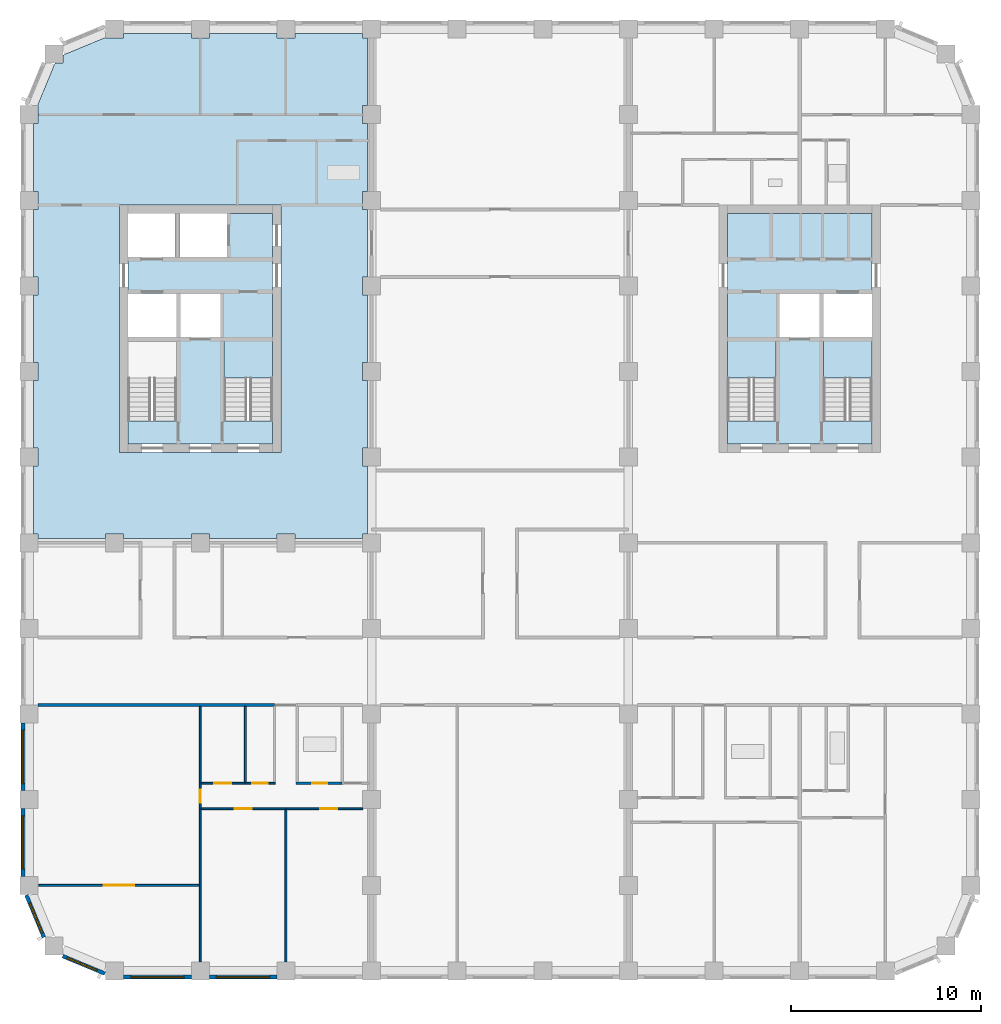
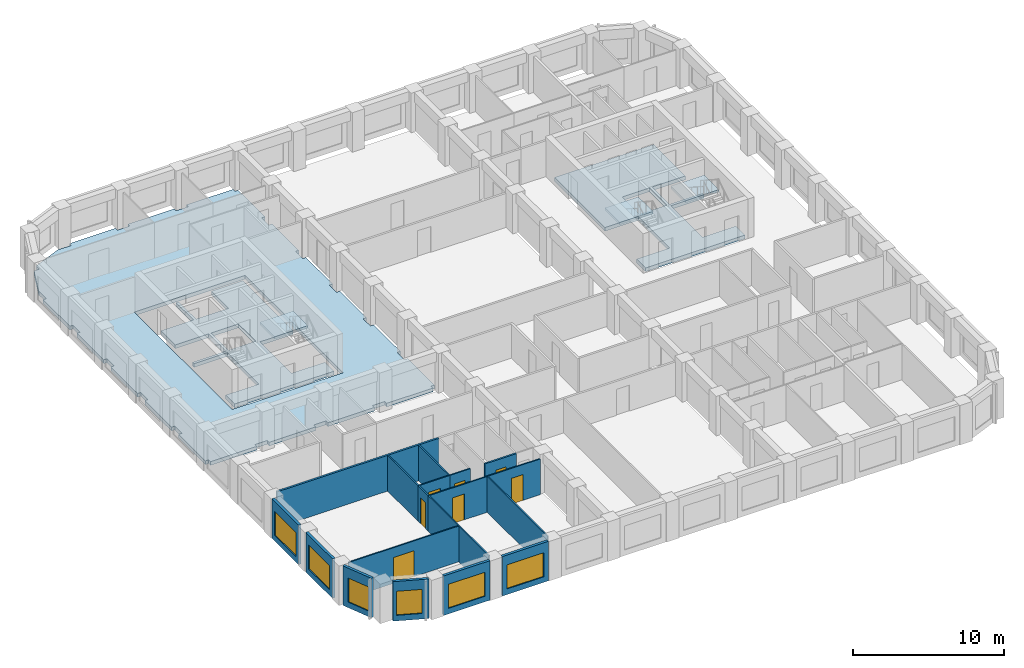
# One storey, part 2 of 12: 18 walls, 7 doors, 6 slabs, 6 windows, 13 openings, 3 elements without a shape of their own.
"""IFC4 building model written with IfcOpenShell, lengths in metres."""

from ifc_helpers import new_model, si_unit, direction, frame, frame_2d, origin, place, context, subcontext, project, spatial, polyline, rectangle, outline, extrude, material, layer, layer_set, type_object, element, fill, aggregate, save


model = new_model("IFC4")

# Units and contexts
model_context = context("Model", 3, precision=1e-05, world=origin(), true_north=direction((0.0, 1.0)))
body_context = subcontext(model_context, "Body", "Model", "MODEL_VIEW")
ifc_project = project(units=[si_unit("LENGTHUNIT", "METRE"), si_unit("AREAUNIT", "SQUARE_METRE"), si_unit("VOLUMEUNIT", "CUBIC_METRE"), si_unit("PLANEANGLEUNIT", "RADIAN"), si_unit("MASSUNIT", "GRAM", prefix="KILO")], contexts=[model_context])

# Site, building, storey
site_placement = place(None, origin())
site = spatial("IfcSite", under=ifc_project, at=site_placement, CompositionType="ELEMENT")
building_placement = place(site_placement, origin())
building = spatial("IfcBuilding", under=site, at=building_placement, Name="Girih Gate Residences", CompositionType="ELEMENT")
storey_placement = place(building_placement, frame((0.0, 0.0, 143.0)))
storey = spatial("IfcBuildingStorey", under=building, at=storey_placement, Name="L40", CompositionType="ELEMENT", Elevation=143.0)

# Slabs
ifc_material_1 = material(Name="Concrete C40/50", Category="concrete")
ifc_layer_1 = layer(ifc_material_1, 0.300048828125)
ifc_layer_set_1 = layer_set([ifc_layer_1], Name="Core floor slab 300")
slab_type_1 = type_object("IfcSlabType", Name="Core floor slab 300", PredefinedType="FLOOR", material=ifc_layer_set_1)
slab_1_placement = place(storey_placement, frame((0.0, 0.0, -0.300048828125)))
element("IfcSlab", 1, at=slab_1_placement, inside=storey, type_object=slab_type_1, Name="L40 W core floor", PredefinedType="FLOOR", context=body_context, shape_type="SweptSolid", body=[
    extrude(outline(polyline([(12.800048828125, 27.699951171875), (5.199951171875, 27.699951171875), (5.199951171875, 28.900634765625), (7.75, 28.900634765625), (7.75, 33.10009765625), (5.199951171875, 33.10009765625), (5.199951171875, 33.300048828125), (7.75, 33.300048828125), (7.75, 35.60009765625), (5.199951171875, 35.60009765625), (5.199951171875, 37.5), (7.699951171875, 37.5), (7.699951171875, 39.800048828125), (7.89990234375, 39.800048828125), (7.89990234375, 37.5), (10.39990234375, 37.5), (10.39990234375, 39.800048828125), (12.800048828125, 39.800048828125), (12.800048828125, 33.10009765625), (10.25, 33.10009765625), (10.25, 28.900634765625), (12.800048828125, 28.900634765625), (12.800048828125, 27.699951171875)]), holes=[polyline([(7.949951171875, 33.300048828125), (10.050048828125, 33.300048828125), (10.050048828125, 35.60009765625), (7.949951171875, 35.60009765625), (7.949951171875, 33.300048828125)])]), origin(), (0.0, 0.0, 1.0), 0.300048828125),
])
slab_2_placement = place(storey_placement, frame((0.0, 0.0, -0.300048828125)))
element("IfcSlab", 2, at=slab_2_placement, inside=storey, type_object=slab_type_1, Name="L40 E core floor", PredefinedType="FLOOR", context=body_context, shape_type="SweptSolid", body=[
    extrude(outline(polyline([(44.300048828125, 27.699951171875), (36.699951171875, 27.699951171875), (36.699951171875, 28.900634765625), (39.25, 28.900634765625), (39.25, 33.10009765625), (36.699951171875, 33.10009765625), (36.699951171875, 39.800048828125), (44.300048828125, 39.800048828125), (44.300048828125, 35.60009765625), (41.75, 35.60009765625), (41.75, 33.300048828125), (44.300048828125, 33.300048828125), (44.300048828125, 33.10009765625), (41.75, 33.10009765625), (41.75, 28.900634765625), (44.300048828125, 28.900634765625), (44.300048828125, 27.699951171875)]), holes=[polyline([(39.449951171875, 33.300048828125), (41.550048828125, 33.300048828125), (41.550048828125, 35.60009765625), (39.449951171875, 35.60009765625), (39.449951171875, 33.300048828125)])]), origin(), (0.0, 0.0, 1.0), 0.300048828125),
])
ifc_layer_2 = layer(ifc_material_1, 0.300048828125)
ifc_layer_set_2 = layer_set([ifc_layer_2], Name="Floor slab PT 300 Concrete C40/50")
slab_type_2 = type_object("IfcSlabType", Name="Floor slab PT 300 Concrete C40/50", PredefinedType="FLOOR", material=ifc_layer_set_2)
slab_3_placement = place(storey_placement, frame((0.0, 0.0, -0.300048828125)))
element("IfcSlab", 3, at=slab_3_placement, inside=storey, type_object=slab_type_2, Name="Floor slab L40 3", PredefinedType="FLOOR", context=body_context, shape_type="SweptSolid", body=[
    extrude(outline(polyline([(0.22509765625, 26.52490234375), (0.22509765625, 22.97509765625), (0.47509765625, 22.97509765625), (0.47509765625, 22.72509765625), (4.02490234375, 22.72509765625), (4.02490234375, 22.97509765625), (4.97509765625, 22.97509765625), (4.97509765625, 22.72509765625), (8.52490234375, 22.72509765625), (8.52490234375, 22.97509765625), (9.47509765625, 22.97509765625), (9.47509765625, 22.72509765625), (13.02490234375, 22.72509765625), (13.02490234375, 22.97509765625), (13.97509765625, 22.97509765625), (13.97509765625, 22.72509765625), (17.52490234375, 22.72509765625), (17.52490234375, 22.97509765625), (17.77490234375, 22.97509765625), (17.77490234375, 26.52490234375), (17.52490234375, 26.52490234375), (17.52490234375, 27.47509765625), (17.77490234375, 27.47509765625), (17.77490234375, 31.02490234375), (17.52490234375, 31.02490234375), (17.52490234375, 31.97509765625), (17.77490234375, 31.97509765625), (17.77490234375, 35.52490234375), (17.52490234375, 35.52490234375), (17.52490234375, 36.47509765625), (17.77490234375, 36.47509765625), (17.77490234375, 40.02490234375), (17.52490234375, 40.02490234375), (17.52490234375, 40.97509765625), (17.77490234375, 40.97509765625), (17.77490234375, 44.52490234375), (17.52490234375, 44.52490234375), (17.52490234375, 45.47509765625), (17.77490234375, 45.47509765625), (17.77490234375, 49.02490234375), (17.52490234375, 49.02490234375), (17.52490234375, 49.27490234375), (13.97509765625, 49.27490234375), (13.97509765625, 49.02490234375), (13.02490234375, 49.02490234375), (13.02490234375, 49.27490234375), (9.47509765625, 49.27490234375), (9.47509765625, 49.02490234375), (8.52490234375, 49.02490234375), (8.52490234375, 49.27490234375), (4.97509765625, 49.27490234375), (4.97509765625, 49.02490234375), (4.02490234375, 49.02490234375), (4.02490234375, 49.059814453125), (1.79296875, 48.13525390625), (1.79296875, 47.70703125), (1.36474609375, 47.70703125), (0.440185546875, 45.47509765625), (0.47509765625, 45.47509765625), (0.47509765625, 44.52490234375), (0.22509765625, 44.52490234375), (0.22509765625, 40.97509765625), (0.47509765625, 40.97509765625), (0.47509765625, 40.02490234375), (0.22509765625, 40.02490234375), (0.22509765625, 36.47509765625), (0.47509765625, 36.47509765625), (0.47509765625, 35.52490234375), (0.22509765625, 35.52490234375), (0.22509765625, 31.97509765625), (0.47509765625, 31.97509765625), (0.47509765625, 31.02490234375), (0.22509765625, 31.02490234375), (0.22509765625, 27.47509765625), (0.47509765625, 27.47509765625), (0.47509765625, 26.52490234375), (0.22509765625, 26.52490234375)]), holes=[polyline([(13.25, 40.25), (13.25, 27.25), (4.75, 27.25), (4.75, 40.25), (13.25, 40.25)])]), origin(), (0.0, 0.0, 1.0), 0.300048828125),
])

# Stair, slab
stair_type = type_object("IfcStairType", Name="Exit stair", PredefinedType="HALF_TURN_STAIR", material=ifc_material_1)
stair_1_placement = place(storey_placement, origin())
stair_1 = element("IfcStair", 4, at=stair_1_placement, inside=storey, type_object=stair_type, Name="L40 Exit Stair ST-W2", PredefinedType="HALF_TURN_STAIR")
ifc_layer_3 = layer(ifc_material_1, 0.199951171875)
ifc_layer_set_3 = layer_set([ifc_layer_3], Name="Stair landing 200")
slab_type_3 = type_object("IfcSlabType", Name="Stair landing 200", PredefinedType="LANDING", material=ifc_layer_set_3)
slab_4_placement = place(storey_placement, frame((0.0, 0.0, 1.39990234375)))
slab_4 = element("IfcSlab", 5, at=slab_4_placement, type_object=slab_type_3, Name="ST-W2 landing 1", PredefinedType="LANDING", context=body_context, shape_type="SweptSolid", body=[
    extrude(outline(polyline([(12.800048828125, 31.14990234375), (12.800048828125, 33.10009765625), (10.25, 33.10009765625), (10.25, 31.14990234375), (12.800048828125, 31.14990234375)])), origin(), (0.0, 0.0, 1.0), 0.2001953125),
])
aggregate(stair_1, [slab_4])

stair_2_placement = place(storey_placement, origin())
stair_2 = element("IfcStair", 6, at=stair_2_placement, inside=storey, type_object=stair_type, Name="L40 Exit Stair ST-E1", PredefinedType="HALF_TURN_STAIR")
slab_5_placement = place(storey_placement, frame((0.0, 0.0, 1.39990234375)))
slab_5 = element("IfcSlab", 7, at=slab_5_placement, type_object=slab_type_3, Name="ST-E1 landing 1", PredefinedType="LANDING", context=body_context, shape_type="SweptSolid", body=[
    extrude(outline(polyline([(44.300048828125, 31.14990234375), (44.300048828125, 33.10009765625), (41.75, 33.10009765625), (41.75, 31.14990234375), (44.300048828125, 31.14990234375)])), origin(), (0.0, 0.0, 1.0), 0.2001953125),
])
aggregate(stair_2, [slab_5])

stair_3_placement = place(storey_placement, origin())
stair_3 = element("IfcStair", 8, at=stair_3_placement, inside=storey, type_object=stair_type, Name="L40 Exit Stair ST-E2", PredefinedType="HALF_TURN_STAIR")
slab_6_placement = place(storey_placement, frame((0.0, 0.0, 1.39990234375)))
slab_6 = element("IfcSlab", 9, at=slab_6_placement, type_object=slab_type_3, Name="ST-E2 landing 1", PredefinedType="LANDING", context=body_context, shape_type="SweptSolid", body=[
    extrude(outline(polyline([(39.25, 31.14990234375), (39.25, 33.10009765625), (36.699951171875, 33.10009765625), (36.699951171875, 31.14990234375), (39.25, 31.14990234375)])), origin(), (0.0, 0.0, 1.0), 0.2001953125),
])
aggregate(stair_3, [slab_6])

# Walls
ifc_material_2 = material(Name="Gypsum board on steel studs", Category="steel")
ifc_layer_4 = layer(ifc_material_2, 0.14990234375)
ifc_layer_set_4 = layer_set([ifc_layer_4], Name="Compartment wall 150 mm")
wall_type_1 = type_object("IfcWallType", Name="Compartment wall 150 mm", PredefinedType="PARTITIONING", material=ifc_layer_set_4)
wall_1_placement = place(storey_placement, frame((0.47509765625, 13.97509765625, 0.0), z_axis=(0.0, 0.0, 1.0), x_axis=(1.0, 0.0, 0.0)))
element("IfcWall", 10, at=wall_1_placement, inside=storey, type_object=wall_type_1, Name="L40 partition", PredefinedType="PARTITIONING", context=body_context, shape_type="SweptSolid", body=[
    extrude(rectangle(XDim=12.4248046875, YDim=0.14990234375, at=frame_2d((6.21240234375, 0.0))), origin(), (0.0, 0.0, 1.0), 2.89990234375),
])
ifc_layer_5 = layer(ifc_material_2, 0.10009765625)
ifc_layer_set_5 = layer_set([ifc_layer_5], Name="Partition 100 mm")
wall_type_2 = type_object("IfcWallType", Name="Partition 100 mm", PredefinedType="PARTITIONING", material=ifc_layer_set_5)
wall_2_placement = place(storey_placement, frame((13.5, 0.47509765625, 0.0), z_axis=(0.0, 0.0, 1.0), x_axis=(0.0, 1.0, 0.0)))
element("IfcWall", 11, at=wall_2_placement, inside=storey, type_object=wall_type_2, Name="L40 partition", PredefinedType="PARTITIONING", context=body_context, shape_type="SweptSolid", body=[
    extrude(rectangle(XDim=8.0, YDim=0.10009765625, at=frame_2d((4.0, 0.0))), origin(), (0.0, 0.0, 1.0), 2.89990234375),
])

# Wall, opening, door
wall_3_placement = place(storey_placement, frame((13.5, 8.52490234375, 0.0), z_axis=(0.0, 0.0, 1.0), x_axis=(-1.0, 0.0, 0.0)))
wall_3 = element("IfcWall", 12, at=wall_3_placement, inside=storey, type_object=wall_type_2, Name="L40 partition", PredefinedType="PARTITIONING", context=body_context, shape_type="SweptSolid", body=[
    extrude(rectangle(XDim=4.449951171875, YDim=0.10009765625, at=frame_2d((2.22509765625, 0.0))), origin(), (0.0, 0.0, 1.0), 2.89990234375),
])
opening_1_placement = place(wall_3_placement, frame((1.800048828125, 0.0, 0.0)))
opening_1 = element("IfcOpeningElement", 13, at=opening_1_placement, cuts=wall_3, Name="Opening A40-002", PredefinedType="OPENING", context=body_context, shape_type="SweptSolid", body=[
    extrude(rectangle(XDim=0.89990234375, YDim=2.10009765625, at=frame_2d((0.449951171875, 1.050048828125))), frame((0.0, 0.06005859375, 0.0), z_axis=(0.0, -1.0, 0.0), x_axis=(1.0, 0.0, 0.0)), (0.0, 0.0, 1.0), 0.1201171875),
])
ifc_material_3 = material(Name="Timber", Category="wood")
door_type_1 = type_object("IfcDoorType", Name="Bedroom door 900x2100", OperationType="NOTDEFINED", PredefinedType="DOOR", material=ifc_material_3)
door_1_placement = place(opening_1_placement, origin())
door_1 = element("IfcDoor", 14, at=door_1_placement, inside=storey, type_object=door_type_1, Name="Door A40-002", OperationType="SINGLE_SWING_RIGHT", OverallHeight=2.10009765625, OverallWidth=0.89990234375, PredefinedType="DOOR", context=body_context, shape_type="SweptSolid", body=[
    extrude(rectangle(XDim=0.89990234375, YDim=2.10009765625, at=frame_2d((0.449951171875, 1.050048828125))), frame((0.0, 0.02490234375, 0.0), z_axis=(0.0, -1.0, 0.0), x_axis=(1.0, 0.0, 0.0)), (0.0, 0.0, 1.0), 0.050048828125),
])
fill(opening_1, door_1)

# Wall
wall_4_placement = place(storey_placement, frame((9.0, 0.47509765625, 0.0), z_axis=(0.0, 0.0, 1.0), x_axis=(0.0, 1.0, 0.0)))
element("IfcWall", 15, at=wall_4_placement, inside=storey, type_object=wall_type_2, Name="L40 partition", PredefinedType="PARTITIONING", context=body_context, shape_type="SweptSolid", body=[
    extrude(rectangle(XDim=8.0498046875, YDim=0.10009765625, at=frame_2d((4.02490234375, 0.0))), origin(), (0.0, 0.0, 1.0), 2.89990234375),
])

# Wall, opening, door
wall_5_placement = place(storey_placement, frame((17.52490234375, 8.52490234375, 0.0), z_axis=(0.0, 0.0, 1.0), x_axis=(-1.0, 0.0, 0.0)))
wall_5 = element("IfcWall", 16, at=wall_5_placement, inside=storey, type_object=wall_type_2, Name="L40 partition", PredefinedType="PARTITIONING", context=body_context, shape_type="SweptSolid", body=[
    extrude(rectangle(XDim=4.02490234375, YDim=0.10009765625, at=frame_2d((2.012451171875, 0.0))), origin(), (0.0, 0.0, 1.0), 2.89990234375),
])
opening_2_placement = place(wall_5_placement, frame((1.324951171875, 0.0, 0.0)))
opening_2 = element("IfcOpeningElement", 17, at=opening_2_placement, cuts=wall_5, Name="Opening A40-003", PredefinedType="OPENING", context=body_context, shape_type="SweptSolid", body=[
    extrude(rectangle(XDim=0.89990234375, YDim=2.10009765625, at=frame_2d((0.449951171875, 1.050048828125))), frame((0.0, 0.06005859375, 0.0), z_axis=(0.0, -1.0, 0.0), x_axis=(1.0, 0.0, 0.0)), (0.0, 0.0, 1.0), 0.1201171875),
])
door_2_placement = place(opening_2_placement, origin())
door_2 = element("IfcDoor", 18, at=door_2_placement, inside=storey, type_object=door_type_1, Name="Door A40-003", OperationType="SINGLE_SWING_LEFT", OverallHeight=2.10009765625, OverallWidth=0.89990234375, PredefinedType="DOOR", context=body_context, shape_type="SweptSolid", body=[
    extrude(rectangle(XDim=0.89990234375, YDim=2.10009765625, at=frame_2d((0.449951171875, 1.050048828125))), frame((0.0, 0.02490234375, 0.0), z_axis=(0.0, -1.0, 0.0), x_axis=(1.0, 0.0, 0.0)), (0.0, 0.0, 1.0), 0.050048828125),
])
fill(opening_2, door_2)

wall_6_placement = place(storey_placement, frame((9.0, 8.52490234375, 0.0), z_axis=(0.0, 0.0, 1.0), x_axis=(0.0, 1.0, 0.0)))
wall_6 = element("IfcWall", 19, at=wall_6_placement, inside=storey, type_object=wall_type_2, Name="L40 partition", PredefinedType="PARTITIONING", context=body_context, shape_type="SweptSolid", body=[
    extrude(rectangle(XDim=1.340087890625, YDim=0.10009765625, at=frame_2d((0.669921875, 0.0))), origin(), (0.0, 0.0, 1.0), 2.89990234375),
])
opening_3_placement = place(wall_6_placement, frame((0.31005859375, 0.0, 0.0)))
opening_3 = element("IfcOpeningElement", 20, at=opening_3_placement, cuts=wall_6, Name="Opening A40-004", PredefinedType="OPENING", context=body_context, shape_type="SweptSolid", body=[
    extrude(rectangle(XDim=0.699951171875, YDim=2.10009765625, at=frame_2d((0.35009765625, 1.050048828125))), frame((0.0, 0.06005859375, 0.0), z_axis=(0.0, -1.0, 0.0), x_axis=(1.0, 0.0, 0.0)), (0.0, 0.0, 1.0), 0.1201171875),
])
door_type_2 = type_object("IfcDoorType", Name="Narrow door 700x2100", OperationType="NOTDEFINED", PredefinedType="DOOR", material=ifc_material_3)
door_3_placement = place(opening_3_placement, origin())
door_3 = element("IfcDoor", 21, at=door_3_placement, inside=storey, type_object=door_type_2, Name="Door A40-004", OperationType="SINGLE_SWING_LEFT", OverallHeight=2.10009765625, OverallWidth=0.699951171875, PredefinedType="DOOR", context=body_context, shape_type="SweptSolid", body=[
    extrude(rectangle(XDim=0.699951171875, YDim=2.10009765625, at=frame_2d((0.35009765625, 1.050048828125))), frame((0.0, 0.02490234375, 0.0), z_axis=(0.0, -1.0, 0.0), x_axis=(1.0, 0.0, 0.0)), (0.0, 0.0, 1.0), 0.050048828125),
])
fill(opening_3, door_3)

# Wall
wall_7_placement = place(storey_placement, frame((9.0, 9.864990234375, 0.0), z_axis=(0.0, 0.0, 1.0), x_axis=(0.0, 1.0, 0.0)))
element("IfcWall", 22, at=wall_7_placement, inside=storey, type_object=wall_type_2, Name="L40 partition", PredefinedType="PARTITIONING", context=body_context, shape_type="SweptSolid", body=[
    extrude(rectangle(XDim=4.034912109375, YDim=0.10009765625, at=frame_2d((2.017578125, 0.0))), origin(), (0.0, 0.0, 1.0), 2.89990234375),
])

# Wall, opening, door
wall_8_placement = place(storey_placement, frame((0.51416015625, 4.5, 0.0), z_axis=(0.0, 0.0, 1.0), x_axis=(1.0, 0.0, 0.0)))
wall_8 = element("IfcWall", 23, at=wall_8_placement, inside=storey, type_object=wall_type_2, Name="L40 partition", PredefinedType="PARTITIONING", context=body_context, shape_type="SweptSolid", body=[
    extrude(rectangle(XDim=8.435791015625, YDim=0.10009765625, at=frame_2d((4.2177734375, 0.0))), origin(), (0.0, 0.0, 1.0), 2.89990234375),
])
opening_4_placement = place(wall_8_placement, frame((3.42333984375, 0.0, 0.0)))
opening_4 = element("IfcOpeningElement", 24, at=opening_4_placement, cuts=wall_8, Name="Opening A40-005", PredefinedType="OPENING", context=body_context, shape_type="SweptSolid", body=[
    extrude(rectangle(XDim=1.60009765625, YDim=2.10009765625, at=frame_2d((0.800048828125, 1.050048828125))), frame((0.0, 0.06005859375, 0.0), z_axis=(0.0, -1.0, 0.0), x_axis=(1.0, 0.0, 0.0)), (0.0, 0.0, 1.0), 0.1201171875),
])
door_type_3 = type_object("IfcDoorType", Name="Double leaf door 1600x2100", OperationType="NOTDEFINED", PredefinedType="DOOR", material=ifc_material_3)
door_4_placement = place(opening_4_placement, origin())
door_4 = element("IfcDoor", 25, at=door_4_placement, inside=storey, type_object=door_type_3, Name="Door A40-005", OperationType="SINGLE_SWING_RIGHT", OverallHeight=2.10009765625, OverallWidth=1.60009765625, PredefinedType="DOOR", context=body_context, shape_type="SweptSolid", body=[
    extrude(rectangle(XDim=1.60009765625, YDim=2.10009765625, at=frame_2d((0.800048828125, 1.050048828125))), frame((0.0, 0.02490234375, 0.0), z_axis=(0.0, -1.0, 0.0), x_axis=(1.0, 0.0, 0.0)), (0.0, 0.0, 1.0), 0.050048828125),
])
fill(opening_4, door_4)

wall_9_placement = place(storey_placement, frame((9.050048828125, 9.864990234375, 0.0), z_axis=(0.0, 0.0, 1.0), x_axis=(1.0, 0.0, 0.0)))
wall_9 = element("IfcWall", 26, at=wall_9_placement, inside=storey, type_object=wall_type_2, Name="L40 partition", PredefinedType="PARTITIONING", context=body_context, shape_type="SweptSolid", body=[
    extrude(rectangle(XDim=2.3173828125, YDim=0.10009765625, at=frame_2d((1.15869140625, 0.0))), origin(), (0.0, 0.0, 1.0), 2.89990234375),
])
opening_5_placement = place(wall_9_placement, frame((0.68359375, 0.0, 0.0)))
opening_5 = element("IfcOpeningElement", 27, at=opening_5_placement, cuts=wall_9, Name="Opening A40-006", PredefinedType="OPENING", context=body_context, shape_type="SweptSolid", body=[
    extrude(rectangle(XDim=0.89990234375, YDim=2.10009765625, at=frame_2d((0.449951171875, 1.050048828125))), frame((0.0, 0.06005859375, 0.0), z_axis=(0.0, -1.0, 0.0), x_axis=(1.0, 0.0, 0.0)), (0.0, 0.0, 1.0), 0.1201171875),
])
door_type_4 = type_object("IfcDoorType", Name="Kitchen door 900x2100", OperationType="NOTDEFINED", PredefinedType="DOOR", material=ifc_material_3)
door_5_placement = place(opening_5_placement, origin())
door_5 = element("IfcDoor", 28, at=door_5_placement, inside=storey, type_object=door_type_4, Name="Door A40-006", OperationType="SINGLE_SWING_LEFT", OverallHeight=2.10009765625, OverallWidth=0.89990234375, PredefinedType="DOOR", context=body_context, shape_type="SweptSolid", body=[
    extrude(rectangle(XDim=0.89990234375, YDim=2.10009765625, at=frame_2d((0.449951171875, 1.050048828125))), frame((0.0, 0.02490234375, 0.0), z_axis=(0.0, -1.0, 0.0), x_axis=(1.0, 0.0, 0.0)), (0.0, 0.0, 1.0), 0.050048828125),
])
fill(opening_5, door_5)

wall_10_placement = place(storey_placement, frame((11.367431640625, 9.864990234375, 0.0), z_axis=(0.0, 0.0, 1.0), x_axis=(1.0, 0.0, 0.0)))
wall_10 = element("IfcWall", 29, at=wall_10_placement, inside=storey, type_object=wall_type_2, Name="L40 partition", PredefinedType="PARTITIONING", context=body_context, shape_type="SweptSolid", body=[
    extrude(rectangle(XDim=1.58251953125, YDim=0.10009765625, at=frame_2d((0.791259765625, 0.0))), origin(), (0.0, 0.0, 1.0), 2.89990234375),
])
opening_6_placement = place(wall_10_placement, frame((0.3662109375, 0.0, 0.0)))
opening_6 = element("IfcOpeningElement", 30, at=opening_6_placement, cuts=wall_10, Name="Opening A40-008", PredefinedType="OPENING", context=body_context, shape_type="SweptSolid", body=[
    extrude(rectangle(XDim=0.800048828125, YDim=2.10009765625, at=frame_2d((0.39990234375, 1.050048828125))), frame((0.0, 0.06005859375, 0.0), z_axis=(0.0, -1.0, 0.0), x_axis=(1.0, 0.0, 0.0)), (0.0, 0.0, 1.0), 0.1201171875),
])
door_type_5 = type_object("IfcDoorType", Name="Store door 800x2100", OperationType="NOTDEFINED", PredefinedType="DOOR", material=ifc_material_3)
door_6_placement = place(opening_6_placement, origin())
door_6 = element("IfcDoor", 31, at=door_6_placement, inside=storey, type_object=door_type_5, Name="Door A40-008", OperationType="SINGLE_SWING_LEFT", OverallHeight=2.10009765625, OverallWidth=0.800048828125, PredefinedType="DOOR", context=body_context, shape_type="SweptSolid", body=[
    extrude(rectangle(XDim=0.800048828125, YDim=2.10009765625, at=frame_2d((0.39990234375, 1.050048828125))), frame((0.0, 0.02490234375, 0.0), z_axis=(0.0, -1.0, 0.0), x_axis=(1.0, 0.0, 0.0)), (0.0, 0.0, 1.0), 0.050048828125),
])
fill(opening_6, door_6)

# Wall
wall_11_placement = place(storey_placement, frame((11.366943359375, 9.9150390625, 0.0), z_axis=(0.0, 0.0, 1.0), x_axis=(0.0, 1.0, 0.0)))
element("IfcWall", 32, at=wall_11_placement, inside=storey, type_object=wall_type_2, Name="L40 partition", PredefinedType="PARTITIONING", context=body_context, shape_type="SweptSolid", body=[
    extrude(rectangle(XDim=3.98486328125, YDim=0.10009765625, at=frame_2d((1.992431640625, 0.0))), origin(), (0.0, 0.0, 1.0), 2.89990234375),
])

# Wall, opening, window
ifc_material_4 = material(Name="Precast concrete C50/60", Category="concrete")
ifc_layer_6 = layer(ifc_material_4, 0.06005859375, Name="Outer leaf")
ifc_material_5 = material(Name="Rigid PIR insulation")
ifc_layer_7 = layer(ifc_material_5, 0.090087890625, Name="Insulation")
ifc_material_6 = material(Name="Precast concrete C40/50", Category="concrete")
ifc_layer_8 = layer(ifc_material_6, 0.050048828125, Name="Inner leaf")
ifc_layer_set_6 = layer_set([ifc_layer_6, ifc_layer_7, ifc_layer_8], Name="Precast concrete C50/60 external wall 200")
wall_type_3 = type_object("IfcWallType", Name="Precast concrete C50/60 external wall 200", PredefinedType="SOLIDWALL", material=ifc_layer_set_6)
wall_12_placement = place(storey_placement, frame((0.7802734375, 1.76708984375, 0.0), z_axis=(0.0, 0.0, 1.0), x_axis=(-0.382680855588, 0.923880599843, 0.0)))
wall_12 = element("IfcWall", 33, at=wall_12_placement, inside=storey, type_object=wall_type_3, Name="External wall SW0000_0045.0", PredefinedType="SOLIDWALL", context=body_context, shape_type="SweptSolid", body=[
    extrude(rectangle(XDim=2.402587890625, YDim=0.199951171875, at=frame_2d((1.201171875, 0.0))), origin(), (0.0, 0.0, 1.0), 3.199951171875),
])
opening_7_placement = place(wall_12_placement, frame((0.25146484375, 0.0, 0.449951171875)))
opening_7 = element("IfcOpeningElement", 34, at=opening_7_placement, cuts=wall_12, Name="Opening W-2E", PredefinedType="OPENING", context=body_context, shape_type="SweptSolid", body=[
    extrude(rectangle(XDim=1.699951171875, YDim=1.949951171875, at=frame_2d((0.85009765625, 0.97509765625))), frame((0.0, 0.10986328125, 0.0), z_axis=(0.0, -1.0, 0.0), x_axis=(1.0, 0.0, 0.0)), (0.0, 0.0, 1.0), 0.219970703125),
])
ifc_material_7 = material(Name="Double glazing in aluminium frame", Category="aluminium")
window_type_1 = type_object("IfcWindowType", Name="Window W-2E 1700x1950", PartitioningType="SINGLE_PANEL", PredefinedType="WINDOW", material=ifc_material_7)
window_1_placement = place(opening_7_placement, origin())
window_1 = element("IfcWindow", 35, at=window_1_placement, inside=storey, type_object=window_type_1, Name="Window W-2E SW0000_0045.0", OverallHeight=1.949951171875, OverallWidth=1.699951171875, PartitioningType="SINGLE_PANEL", PredefinedType="WINDOW", context=body_context, shape_type="SweptSolid", body=[
    extrude(rectangle(XDim=1.699951171875, YDim=1.949951171875, at=frame_2d((0.85009765625, 0.97509765625))), frame((0.0, 0.030029296875, 0.0), z_axis=(0.0, -1.0, 0.0), x_axis=(1.0, 0.0, 0.0)), (0.0, 0.0, 1.0), 0.06005859375),
])
fill(opening_7, window_1)

wall_13_placement = place(storey_placement, frame((3.98681640625, -0.13916015625, 0.0), z_axis=(0.0, 0.0, 1.0), x_axis=(-0.923880599843, 0.382680855588, 0.0)))
wall_13 = element("IfcWall", 36, at=wall_13_placement, inside=storey, type_object=wall_type_3, Name="External wall SW0013_0013.0", PredefinedType="SOLIDWALL", context=body_context, shape_type="SweptSolid", body=[
    extrude(rectangle(XDim=2.402587890625, YDim=0.199951171875, at=frame_2d((1.201171875, 0.0))), origin(), (0.0, 0.0, 1.0), 3.199951171875),
])
opening_8_placement = place(wall_13_placement, frame((0.451171875, 0.0, 0.449951171875)))
opening_8 = element("IfcOpeningElement", 37, at=opening_8_placement, cuts=wall_13, Name="Opening W-2E", PredefinedType="OPENING", context=body_context, shape_type="SweptSolid", body=[
    extrude(rectangle(XDim=1.699951171875, YDim=1.949951171875, at=frame_2d((0.85009765625, 0.97509765625))), frame((0.0, 0.10986328125, 0.0), z_axis=(0.0, -1.0, 0.0), x_axis=(1.0, 0.0, 0.0)), (0.0, 0.0, 1.0), 0.219970703125),
])
window_2_placement = place(opening_8_placement, origin())
window_2 = element("IfcWindow", 38, at=window_2_placement, inside=storey, type_object=window_type_1, Name="Window W-2E SW0013_0013.0", OverallHeight=1.949951171875, OverallWidth=1.699951171875, PartitioningType="SINGLE_PANEL", PredefinedType="WINDOW", context=body_context, shape_type="SweptSolid", body=[
    extrude(rectangle(XDim=1.699951171875, YDim=1.949951171875, at=frame_2d((0.85009765625, 0.97509765625))), frame((0.0, 0.030029296875, 0.0), z_axis=(0.0, -1.0, 0.0), x_axis=(1.0, 0.0, 0.0)), (0.0, 0.0, 1.0), 0.06005859375),
])
fill(opening_8, window_2)

wall_14_placement = place(storey_placement, frame((8.52490234375, -0.324951171875, 0.0), z_axis=(0.0, 0.0, 1.0), x_axis=(-1.0, 0.0, 0.0)))
wall_14 = element("IfcWall", 39, at=wall_14_placement, inside=storey, type_object=wall_type_3, Name="External wall S0045_0000.0", PredefinedType="SOLIDWALL", context=body_context, shape_type="SweptSolid", body=[
    extrude(rectangle(XDim=3.5498046875, YDim=0.199951171875, at=frame_2d((1.77490234375, 0.0))), origin(), (0.0, 0.0, 1.0), 3.199951171875),
])
opening_9_placement = place(wall_14_placement, frame((0.375, 0.0, 0.449951171875)))
opening_9 = element("IfcOpeningElement", 40, at=opening_9_placement, cuts=wall_14, Name="Opening W-1B", PredefinedType="OPENING", context=body_context, shape_type="SweptSolid", body=[
    extrude(rectangle(XDim=2.800048828125, YDim=1.949951171875, at=frame_2d((1.39990234375, 0.97509765625))), frame((0.0, 0.10986328125, 0.0), z_axis=(0.0, -1.0, 0.0), x_axis=(1.0, 0.0, 0.0)), (0.0, 0.0, 1.0), 0.219970703125),
])
window_type_2 = type_object("IfcWindowType", Name="Window W-1B 2800x1950", PartitioningType="SINGLE_PANEL", PredefinedType="WINDOW", material=ifc_material_7)
window_3_placement = place(opening_9_placement, origin())
window_3 = element("IfcWindow", 41, at=window_3_placement, inside=storey, type_object=window_type_2, Name="Window W-1B S0045_0000.0", OverallHeight=1.949951171875, OverallWidth=2.800048828125, PartitioningType="SINGLE_PANEL", PredefinedType="WINDOW", context=body_context, shape_type="SweptSolid", body=[
    extrude(rectangle(XDim=2.800048828125, YDim=1.949951171875, at=frame_2d((1.39990234375, 0.97509765625))), frame((0.0, 0.030029296875, 0.0), z_axis=(0.0, -1.0, 0.0), x_axis=(1.0, 0.0, 0.0)), (0.0, 0.0, 1.0), 0.06005859375),
])
fill(opening_9, window_3)

wall_15_placement = place(storey_placement, frame((13.02490234375, -0.324951171875, 0.0), z_axis=(0.0, 0.0, 1.0), x_axis=(-1.0, 0.0, 0.0)))
wall_15 = element("IfcWall", 42, at=wall_15_placement, inside=storey, type_object=wall_type_3, Name="External wall S0045_0000.1", PredefinedType="SOLIDWALL", context=body_context, shape_type="SweptSolid", body=[
    extrude(rectangle(XDim=3.5498046875, YDim=0.199951171875, at=frame_2d((1.77490234375, 0.0))), origin(), (0.0, 0.0, 1.0), 3.199951171875),
])
opening_10_placement = place(wall_15_placement, frame((0.375, 0.0, 0.449951171875)))
opening_10 = element("IfcOpeningElement", 43, at=opening_10_placement, cuts=wall_15, Name="Opening W-1B", PredefinedType="OPENING", context=body_context, shape_type="SweptSolid", body=[
    extrude(rectangle(XDim=2.800048828125, YDim=1.949951171875, at=frame_2d((1.39990234375, 0.97509765625))), frame((0.0, 0.10986328125, 0.0), z_axis=(0.0, -1.0, 0.0), x_axis=(1.0, 0.0, 0.0)), (0.0, 0.0, 1.0), 0.219970703125),
])
window_4_placement = place(opening_10_placement, origin())
window_4 = element("IfcWindow", 44, at=window_4_placement, inside=storey, type_object=window_type_2, Name="Window W-1B S0045_0000.1", OverallHeight=1.949951171875, OverallWidth=2.800048828125, PartitioningType="SINGLE_PANEL", PredefinedType="WINDOW", context=body_context, shape_type="SweptSolid", body=[
    extrude(rectangle(XDim=2.800048828125, YDim=1.949951171875, at=frame_2d((1.39990234375, 0.97509765625))), frame((0.0, 0.030029296875, 0.0), z_axis=(0.0, -1.0, 0.0), x_axis=(1.0, 0.0, 0.0)), (0.0, 0.0, 1.0), 0.06005859375),
])
fill(opening_10, window_4)

wall_16_placement = place(storey_placement, frame((-0.324951171875, 9.47509765625, 0.0), z_axis=(0.0, 0.0, 1.0), x_axis=(0.0, 1.0, 0.0)))
wall_16 = element("IfcWall", 45, at=wall_16_placement, inside=storey, type_object=wall_type_3, Name="External wall W0000_0450.7", PredefinedType="SOLIDWALL", context=body_context, shape_type="SweptSolid", body=[
    extrude(rectangle(XDim=3.5498046875, YDim=0.199951171875, at=frame_2d((1.77490234375, 0.0))), origin(), (0.0, 0.0, 1.0), 3.199951171875),
])
opening_11_placement = place(wall_16_placement, frame((0.375, 0.0, 0.449951171875)))
opening_11 = element("IfcOpeningElement", 46, at=opening_11_placement, cuts=wall_16, Name="Opening W-1B", PredefinedType="OPENING", context=body_context, shape_type="SweptSolid", body=[
    extrude(rectangle(XDim=2.800048828125, YDim=1.949951171875, at=frame_2d((1.39990234375, 0.97509765625))), frame((0.0, 0.10986328125, 0.0), z_axis=(0.0, -1.0, 0.0), x_axis=(1.0, 0.0, 0.0)), (0.0, 0.0, 1.0), 0.219970703125),
])
window_5_placement = place(opening_11_placement, origin())
window_5 = element("IfcWindow", 47, at=window_5_placement, inside=storey, type_object=window_type_2, Name="Window W-1B W0000_0450.7", OverallHeight=1.949951171875, OverallWidth=2.800048828125, PartitioningType="SINGLE_PANEL", PredefinedType="WINDOW", context=body_context, shape_type="SweptSolid", body=[
    extrude(rectangle(XDim=2.800048828125, YDim=1.949951171875, at=frame_2d((1.39990234375, 0.97509765625))), frame((0.0, 0.030029296875, 0.0), z_axis=(0.0, -1.0, 0.0), x_axis=(1.0, 0.0, 0.0)), (0.0, 0.0, 1.0), 0.06005859375),
])
fill(opening_11, window_5)

wall_17_placement = place(storey_placement, frame((-0.324951171875, 4.97509765625, 0.0), z_axis=(0.0, 0.0, 1.0), x_axis=(0.0, 1.0, 0.0)))
wall_17 = element("IfcWall", 48, at=wall_17_placement, inside=storey, type_object=wall_type_3, Name="External wall W0000_0450.8", PredefinedType="SOLIDWALL", context=body_context, shape_type="SweptSolid", body=[
    extrude(rectangle(XDim=3.5498046875, YDim=0.199951171875, at=frame_2d((1.77490234375, 0.0))), origin(), (0.0, 0.0, 1.0), 3.199951171875),
])
opening_12_placement = place(wall_17_placement, frame((0.375, 0.0, 0.449951171875)))
opening_12 = element("IfcOpeningElement", 49, at=opening_12_placement, cuts=wall_17, Name="Opening W-1B", PredefinedType="OPENING", context=body_context, shape_type="SweptSolid", body=[
    extrude(rectangle(XDim=2.800048828125, YDim=1.949951171875, at=frame_2d((1.39990234375, 0.97509765625))), frame((0.0, 0.10986328125, 0.0), z_axis=(0.0, -1.0, 0.0), x_axis=(1.0, 0.0, 0.0)), (0.0, 0.0, 1.0), 0.219970703125),
])
window_6_placement = place(opening_12_placement, origin())
window_6 = element("IfcWindow", 50, at=window_6_placement, inside=storey, type_object=window_type_2, Name="Window W-1B W0000_0450.8", OverallHeight=1.949951171875, OverallWidth=2.800048828125, PartitioningType="SINGLE_PANEL", PredefinedType="WINDOW", context=body_context, shape_type="SweptSolid", body=[
    extrude(rectangle(XDim=2.800048828125, YDim=1.949951171875, at=frame_2d((1.39990234375, 0.97509765625))), frame((0.0, 0.030029296875, 0.0), z_axis=(0.0, -1.0, 0.0), x_axis=(1.0, 0.0, 0.0)), (0.0, 0.0, 1.0), 0.06005859375),
])
fill(opening_12, window_6)

# Wall, opening, door
ifc_layer_9 = layer(ifc_material_2, 0.125)
ifc_layer_set_7 = layer_set([ifc_layer_9], Name="Wet room wall 125 mm")
wall_type_4 = type_object("IfcWallType", Name="Wet room wall 125 mm", PredefinedType="PARTITIONING", material=ifc_layer_set_7)
wall_18_placement = place(storey_placement, frame((14.03759765625, 9.864990234375, 0.0), z_axis=(0.0, 0.0, 1.0), x_axis=(1.0, 0.0, 0.0)))
wall_18 = element("IfcWall", 51, at=wall_18_placement, inside=storey, type_object=wall_type_4, Name="L40 partition", PredefinedType="PARTITIONING", context=body_context, shape_type="SweptSolid", body=[
    extrude(rectangle(XDim=2.41357421875, YDim=0.125, at=frame_2d((1.206787109375, 0.0))), origin(), (0.0, 0.0, 1.0), 2.89990234375),
])
opening_13_placement = place(wall_18_placement, frame((0.837890625, 0.0, 0.0)))
opening_13 = element("IfcOpeningElement", 52, at=opening_13_placement, cuts=wall_18, Name="Opening A40-001", PredefinedType="OPENING", context=body_context, shape_type="SweptSolid", body=[
    extrude(rectangle(XDim=0.800048828125, YDim=2.10009765625, at=frame_2d((0.39990234375, 1.050048828125))), frame((0.0, 0.072509765625, 0.0), z_axis=(0.0, -1.0, 0.0), x_axis=(1.0, 0.0, 0.0)), (0.0, 0.0, 1.0), 0.14501953125),
])
door_type_6 = type_object("IfcDoorType", Name="Bathroom door 800x2100", OperationType="NOTDEFINED", PredefinedType="DOOR", material=ifc_material_3)
door_7_placement = place(opening_13_placement, origin())
door_7 = element("IfcDoor", 53, at=door_7_placement, inside=storey, type_object=door_type_6, Name="Door A40-001", OperationType="SINGLE_SWING_RIGHT", OverallHeight=2.10009765625, OverallWidth=0.800048828125, PredefinedType="DOOR", context=body_context, shape_type="SweptSolid", body=[
    extrude(rectangle(XDim=0.800048828125, YDim=2.10009765625, at=frame_2d((0.39990234375, 1.050048828125))), frame((0.0, 0.02490234375, 0.0), z_axis=(0.0, -1.0, 0.0), x_axis=(1.0, 0.0, 0.0)), (0.0, 0.0, 1.0), 0.050048828125),
])
fill(opening_13, door_7)

save(model, "model.ifc")
